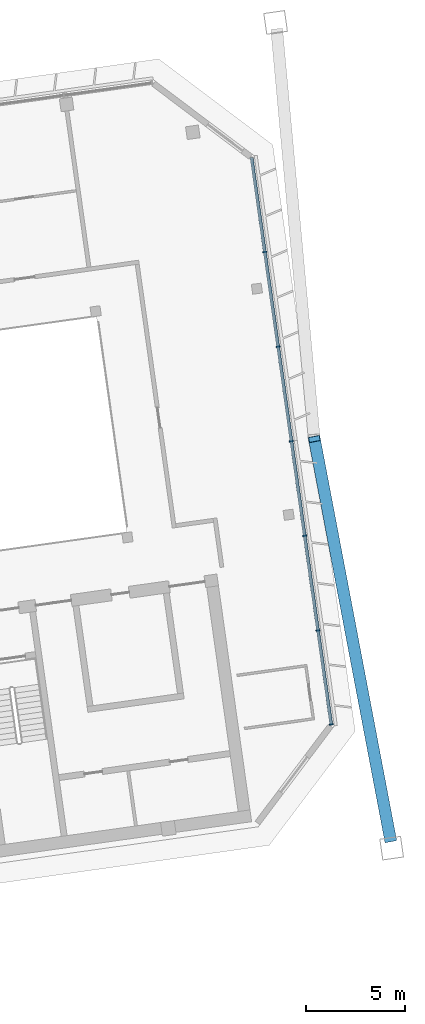
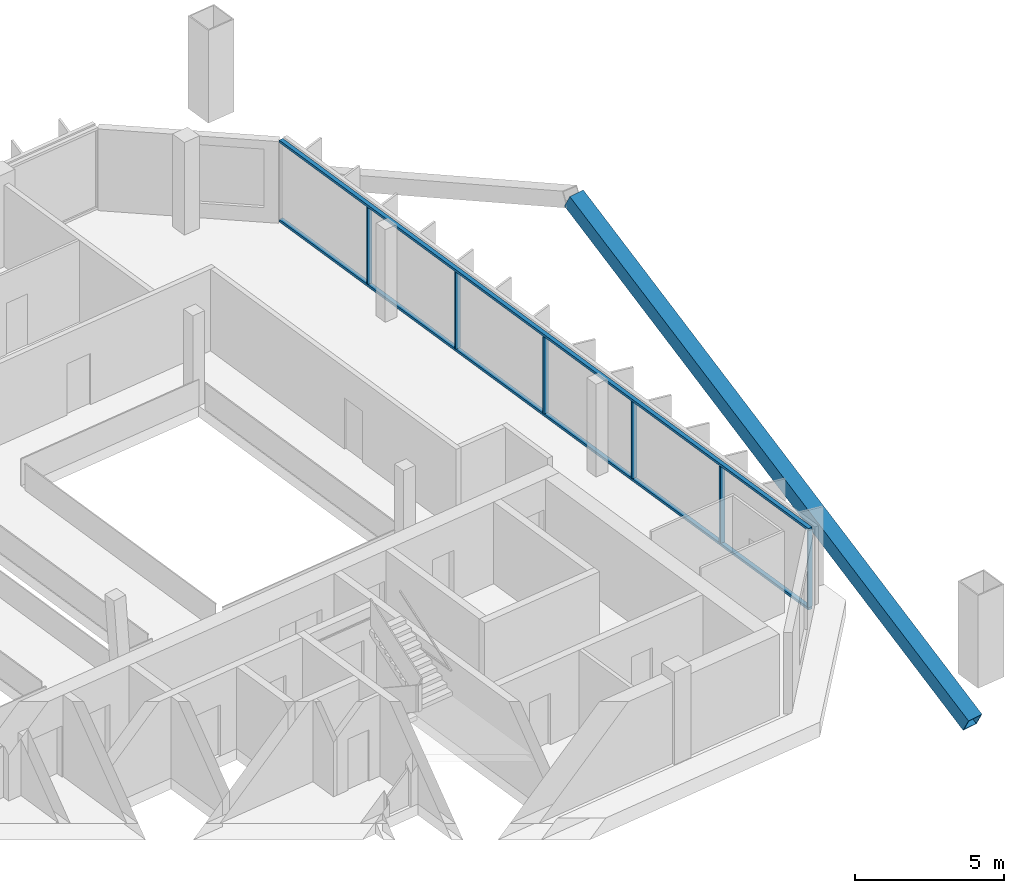
# One storey, part 8 of 19: 9 members, 1 element without a shape of its own.
"""IFC4 building model written with IfcOpenShell, lengths in metres."""

from ifc_helpers import new_model, si_unit, direction, frame, origin, origin_2d, place, context, subcontext, project, spatial, rectangle, hollow_rectangle, extrude, material, material_profile, profile_set, type_object, element, aggregate, save


model = new_model("IFC4")

# Units and contexts
model_context = context("Model", 3, precision=1e-05, world=origin(), true_north=direction((0.0, 1.0)))
body_context = subcontext(model_context, "Body", "Model", "MODEL_VIEW")
ifc_project = project(units=[si_unit("LENGTHUNIT", "METRE"), si_unit("AREAUNIT", "SQUARE_METRE"), si_unit("VOLUMEUNIT", "CUBIC_METRE"), si_unit("PLANEANGLEUNIT", "RADIAN"), si_unit("MASSUNIT", "GRAM", prefix="KILO")], contexts=[model_context])

# Site, building, storey
site_placement = place(None, origin())
site = spatial("IfcSite", under=ifc_project, at=site_placement, CompositionType="ELEMENT")
building_placement = place(site_placement, origin())
building = spatial("IfcBuilding", under=site, at=building_placement, Name="Mirante Cascada Hotel Towers", CompositionType="ELEMENT")
storey_placement = place(building_placement, frame((0.0, 0.0, 239.4)))
storey = spatial("IfcBuildingStorey", under=building, at=storey_placement, Name="L57", CompositionType="ELEMENT", Elevation=239.4)

# Member
ifc_material_1 = material(Name="Steel ASTM A572 Gr 50", Category="steel")
ifc_material_profile_1 = material_profile(ifc_material_1, hollow_rectangle(XDim=0.6, YDim=0.6, WallThickness=0.028, at=origin_2d()), Name="Box brace 600x600x28 ASTM A572 Gr 50")
ifc_profile_set_1 = profile_set([ifc_material_profile_1], Name="Steel ASTM A572 Gr 50")
member_type_1 = type_object("IfcMemberType", Name="Box brace 600x600x28 ASTM A572 Gr 50", PredefinedType="BRACE", material=ifc_profile_set_1)
member_1_placement = place(storey_placement, frame((70.4885, -17.0496, -2.1856), z_axis=(-0.1657738, 0.8724359, 0.4597549), x_axis=(-0.9824222, -0.1866726, 0.0)))
element("IfcMember", 1, at=member_1_placement, inside=storey, type_object=member_type_1, Name="brace T2 L57 1", PredefinedType="BRACE", context=body_context, shape_type="SweptSolid", body=[
    extrude(hollow_rectangle(XDim=0.6, YDim=0.6, WallThickness=0.028, at=origin_2d()), origin(), (0.0, 0.0, 1.0), 23.0977),
])

# Curtain wall, members
ifc_material_2 = material(Name="Aluminium mullion and transom frame with clear laminated glass", Category="aluminium")
curtain_wall_type = type_object("IfcCurtainWallType", Name="End ribbon curtain wall ECW2", PredefinedType="NOTDEFINED", material=ifc_material_2)
curtain_wall_placement = place(storey_placement, origin())
curtain_wall = element("IfcCurtainWall", 2, at=curtain_wall_placement, inside=storey, type_object=curtain_wall_type, Name="Outer end wall T2 L57", PredefinedType="NOTDEFINED")
ifc_material_3 = material(Name="Anodised aluminium extrusion", Category="aluminium")
ifc_material_profile_2 = material_profile(ifc_material_3, rectangle(XDim=0.2, YDim=0.065, at=origin_2d()), Name="ECW2 MULLION 65x200")
ifc_profile_set_2 = profile_set([ifc_material_profile_2], Name="Anodised aluminium extrusion")
member_type_2 = type_object("IfcMemberType", Name="ECW2 mullion 65x200", PredefinedType="MULLION", material=ifc_profile_set_2)
member_2_placement = place(storey_placement, frame((67.5059, -11.2758, 0.1), z_axis=(0.0, 0.0, 1.0), x_axis=(-0.9902681, -0.1391731, 0.0)))
member_2 = element("IfcMember", 3, at=member_2_placement, type_object=member_type_2, Name="ECW2 mullion 1", PredefinedType="MULLION", context=body_context, shape_type="SweptSolid", body=[
    extrude(rectangle(XDim=0.2, YDim=0.065, at=origin_2d()), origin(), (0.0, 0.0, 1.0), 3.15),
])
member_3_placement = place(storey_placement, frame((66.8407, -6.5422, 0.1), z_axis=(0.0, 0.0, 1.0), x_axis=(-0.9902681, -0.1391731, 0.0)))
member_3 = element("IfcMember", 4, at=member_3_placement, type_object=member_type_2, Name="ECW2 mullion 2", PredefinedType="MULLION", context=body_context, shape_type="SweptSolid", body=[
    extrude(rectangle(XDim=0.2, YDim=0.065, at=origin_2d()), origin(), (0.0, 0.0, 1.0), 3.15),
])
member_4_placement = place(storey_placement, frame((66.1709, -1.7764, 0.1), z_axis=(0.0, 0.0, 1.0), x_axis=(-0.9902681, -0.1391731, 0.0)))
member_4 = element("IfcMember", 5, at=member_4_placement, type_object=member_type_2, Name="ECW2 mullion 3", PredefinedType="MULLION", context=body_context, shape_type="SweptSolid", body=[
    extrude(rectangle(XDim=0.2, YDim=0.065, at=origin_2d()), origin(), (0.0, 0.0, 1.0), 3.15),
])
member_5_placement = place(storey_placement, frame((65.5011, 2.9894, 0.1), z_axis=(0.0, 0.0, 1.0), x_axis=(-0.9902681, -0.1391731, 0.0)))
member_5 = element("IfcMember", 6, at=member_5_placement, type_object=member_type_2, Name="ECW2 mullion 4", PredefinedType="MULLION", context=body_context, shape_type="SweptSolid", body=[
    extrude(rectangle(XDim=0.2, YDim=0.065, at=origin_2d()), origin(), (0.0, 0.0, 1.0), 3.15),
])
member_6_placement = place(storey_placement, frame((64.8313, 7.7551, 0.1), z_axis=(0.0, 0.0, 1.0), x_axis=(-0.9902681, -0.1391731, 0.0)))
member_6 = element("IfcMember", 7, at=member_6_placement, type_object=member_type_2, Name="ECW2 mullion 5", PredefinedType="MULLION", context=body_context, shape_type="SweptSolid", body=[
    extrude(rectangle(XDim=0.2, YDim=0.065, at=origin_2d()), origin(), (0.0, 0.0, 1.0), 3.15),
])
member_7_placement = place(storey_placement, frame((64.1615, 12.5209, 0.1), z_axis=(0.0, 0.0, 1.0), x_axis=(-0.9902681, -0.1391731, 0.0)))
member_7 = element("IfcMember", 8, at=member_7_placement, type_object=member_type_2, Name="ECW2 mullion 6", PredefinedType="MULLION", context=body_context, shape_type="SweptSolid", body=[
    extrude(rectangle(XDim=0.2, YDim=0.065, at=origin_2d()), origin(), (0.0, 0.0, 1.0), 3.15),
])
ifc_material_4 = material(Name="Anodised aluminium extrusion", Category="aluminium")
ifc_material_profile_3 = material_profile(ifc_material_4, rectangle(XDim=0.16, YDim=0.1, at=origin_2d()), Name="ECW2 TRANSOM 100x160")
ifc_profile_set_3 = profile_set([ifc_material_profile_3], Name="Anodised aluminium extrusion")
member_type_3 = type_object("IfcMemberType", Name="ECW2 transom 100x160", PredefinedType="USERDEFINED", material=ifc_profile_set_3)
member_8_placement = place(storey_placement, frame((67.5105, -11.308, 0.05), z_axis=(-0.1391757, 0.9902677, 0.0), x_axis=(-0.9902677, -0.1391757, 0.0)))
member_8 = element("IfcMember", 9, at=member_8_placement, type_object=member_type_3, Name="ECW2 sill transom", ObjectType="TRANSOM", PredefinedType="USERDEFINED", context=body_context, shape_type="SweptSolid", body=[
    extrude(rectangle(XDim=0.16, YDim=0.1, at=origin_2d()), origin(), (0.0, 0.0, 1.0), 28.8757),
])
member_9_placement = place(storey_placement, frame((67.5105, -11.308, 3.3), z_axis=(-0.1391757, 0.9902677, 0.0), x_axis=(-0.9902677, -0.1391757, 0.0)))
member_9 = element("IfcMember", 10, at=member_9_placement, type_object=member_type_3, Name="ECW2 head transom", ObjectType="TRANSOM", PredefinedType="USERDEFINED", context=body_context, shape_type="SweptSolid", body=[
    extrude(rectangle(XDim=0.16, YDim=0.1, at=origin_2d()), origin(), (0.0, 0.0, 1.0), 28.8757),
])
aggregate(curtain_wall, [member_8, member_9, member_2, member_3, member_4, member_5, member_6, member_7])

save(model, "model.ifc")
